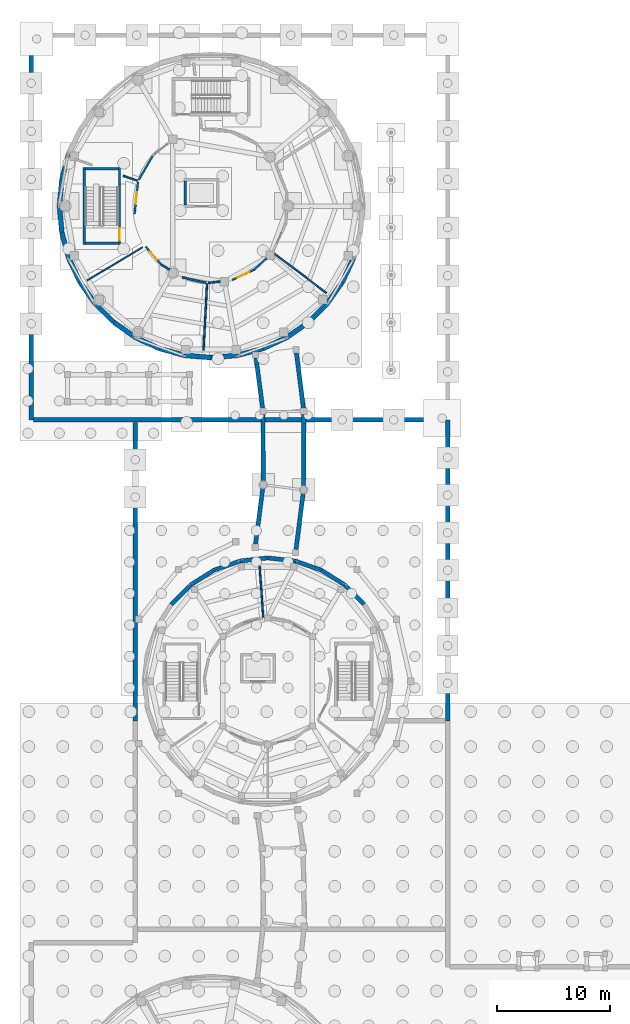
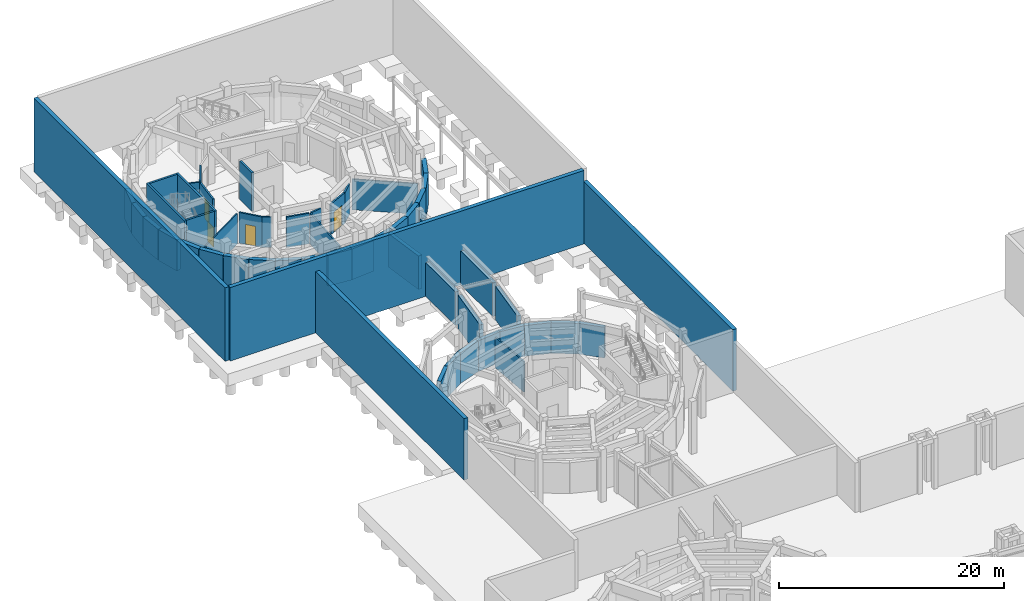
# One storey, part 42 of 57: 54 walls, 4 doors, 4 openings.
"""IFC4 building model written with IfcOpenShell, lengths in metres."""

import ifcopenshell
import ifcopenshell.guid

model = None  # the IFC model being written
_history = None  # IfcOwnerHistory: only IFC2X3 demands one
_inside = {}  # id of a spatial element -> (the spatial element, [elements in it])
_under = {}  # id of a project, library or spatial element -> (it, [spatial elements below it])
_declared = {}  # id of a project -> (the project, [libraries it declares])
_typed = {}  # id of a type object -> (the type object, [elements of that type])
_made_of = {}  # id of a material, layer set ... -> (it, [elements and type objects made of it])


def new_model(schema):
    """Start an empty IFC model of exactly this schema.

    Asked for "IFC4X3", IfcOpenShell would pick the latest addendum, in which some entities
    have other attributes; the version numbers below select the first issue.
    IFC2X3 requires an IfcOwnerHistory on every rooted entity: one is made here for all.
    """
    global model, _history
    if schema == "IFC4X3":
        model = ifcopenshell.file(schema_version=(4, 3, 0, 0))
    else:
        model = ifcopenshell.file(schema=schema)
    _inside.clear()
    _under.clear()
    _declared.clear()
    _typed.clear()
    _made_of.clear()
    _history = None
    if model.schema == "IFC2X3":
        org = make("IfcOrganization", Name="unknown")
        user = make(
            "IfcPersonAndOrganization",
            ThePerson=make("IfcPerson", FamilyName="unknown"),
            TheOrganization=org,
        )
        app = make(
            "IfcApplication",
            ApplicationDeveloper=org,
            Version="unknown",
            ApplicationFullName="unknown",
            ApplicationIdentifier="unknown",
        )
        _history = make(
            "IfcOwnerHistory",
            OwningUser=user,
            OwningApplication=app,
            ChangeAction="ADDED",
            CreationDate=0,
        )
    return model


def make(cls, **values):
    """One entity of the class cls with the attributes given. An attribute that is None is left unset."""
    return model.create_entity(
        cls, **{name: value for name, value in values.items() if value is not None}
    )


def rooted(cls, **values):
    """An entity with a GlobalId (a new one), such as an element, a storey or a relation."""
    return make(cls, GlobalId=ifcopenshell.guid.new(), OwnerHistory=_history, **values)


def si_unit(unit_type, name, prefix=None):
    """IfcSIUnit, for example si_unit("LENGTHUNIT", "METRE", prefix="MILLI")."""
    return make("IfcSIUnit", UnitType=unit_type, Prefix=prefix, Name=name)


def assignment(units):
    """IfcUnitAssignment: the units of a project."""
    return None if units is None else make("IfcUnitAssignment", Units=units)


def point(xyz):
    """IfcCartesianPoint."""
    return None if xyz is None else make("IfcCartesianPoint", Coordinates=xyz)


def direction(xyz):
    """IfcDirection."""
    return None if xyz is None else make("IfcDirection", DirectionRatios=xyz)


def frame(location, z_axis=None, x_axis=None):
    """IfcAxis2Placement3D, a coordinate frame: its origin and axes. An axis left out is left unset."""
    return make(
        "IfcAxis2Placement3D",
        Location=point(location),
        Axis=direction(z_axis),
        RefDirection=direction(x_axis),
    )


def frame_2d(location, x_axis=None):
    """IfcAxis2Placement2D, a coordinate frame in the plane: its origin and x axis."""
    return make(
        "IfcAxis2Placement2D", Location=point(location), RefDirection=direction(x_axis)
    )


def origin():
    """The frame at (0, 0, 0) with its axes left unset."""
    return frame((0.0, 0.0, 0.0))


def place(relative_to, where):
    """IfcLocalPlacement: puts the frame where relative to a parent placement (None: the world)."""
    return make(
        "IfcLocalPlacement", PlacementRelTo=relative_to, RelativePlacement=where
    )


def context(
    kind, dimensions, precision=None, world=None, true_north=None, identifier=None
):
    """IfcGeometricRepresentationContext, for example the 3D "Model" context."""
    return make(
        "IfcGeometricRepresentationContext",
        ContextIdentifier=identifier,
        ContextType=kind,
        CoordinateSpaceDimension=dimensions,
        Precision=precision,
        WorldCoordinateSystem=world,
        TrueNorth=true_north,
    )


def subcontext(parent, identifier, kind, view, scale=None):
    """IfcGeometricRepresentationSubContext, for example "Body" below "Model"."""
    return make(
        "IfcGeometricRepresentationSubContext",
        ContextIdentifier=identifier,
        ContextType=kind,
        ParentContext=parent,
        TargetScale=scale,
        TargetView=view,
    )


def project(units=None, contexts=None):
    """IfcProject with its units and contexts."""
    return rooted(
        "IfcProject",
        Name="project",
        RepresentationContexts=contexts,
        UnitsInContext=assignment(units),
    )


def spatial(cls, under=None, at=None, **own):
    """A site, building, storey or space (cls), placed at a placement, below another one or the project."""
    s = rooted(cls, ObjectPlacement=at, **own)
    if under is not None:
        _under.setdefault(under.id(), (under, []))[1].append(s)
    return s


def profile(cls, at=None, kind="AREA", **sizes):
    """A parametric profile (cls). Its sizes go by their IFC names, for example OverallWidth=200.0."""
    return make(cls, ProfileType=kind, Position=at, **sizes)


def rectangle(**sizes):
    """IfcRectangleProfileDef."""
    return profile("IfcRectangleProfileDef", **sizes)


def extrude(swept, where, along, depth):
    """IfcExtrudedAreaSolid: the profile swept, set in the frame where, extruded along a direction by depth."""
    return make(
        "IfcExtrudedAreaSolid",
        SweptArea=swept,
        Position=where,
        ExtrudedDirection=direction(along),
        Depth=depth,
    )


def shape(context_of_items, identifier, shape_type, items):
    """IfcShapeRepresentation: the items that make up one representation, for example the "Body"."""
    return make(
        "IfcShapeRepresentation",
        ContextOfItems=context_of_items,
        RepresentationIdentifier=identifier,
        RepresentationType=shape_type,
        Items=items,
    )


def material(Name=None, Category=None):
    """IfcMaterial."""
    return make("IfcMaterial", Name=Name, Category=Category)


def layer(
    of_material, thickness, ventilated=None, Name=None, Category=None, Priority=None
):
    """IfcMaterialLayer: one layer of a wall or slab, of a material (None: an air gap)."""
    return make(
        "IfcMaterialLayer",
        Material=of_material,
        LayerThickness=thickness,
        IsVentilated=ventilated,
        Name=Name,
        Category=Category,
        Priority=Priority,
    )


def layer_set(layers, Name=None):
    """IfcMaterialLayerSet."""
    return make("IfcMaterialLayerSet", MaterialLayers=layers, LayerSetName=Name)


def made_of(thing, what):
    """Note that an element or type object is made of a material, layer set ...; save() writes the relation."""
    if what is not None:
        _made_of.setdefault(what.id(), (what, []))[1].append(thing)
    return thing


def type_object(cls, material=None, **own):
    """A type object (cls), such as IfcWallType, which elements share."""
    return made_of(rooted(cls, **own), material)


def element(
    cls,
    number,
    at=None,
    inside=None,
    cuts=None,
    type_object=None,
    material=None,
    context=None,
    identifier="Body",
    shape_type=None,
    held_by="IfcProductDefinitionShape",
    body=None,
    shapes=None,
    **own,
):
    """One element of the class cls, such as IfcWall. Its Tag is "e" and its number.

    at: its placement. inside: the storey or other place that contains it. cuts: it is an
    opening in that element (IfcRelVoidsElement). A single representation is given by context,
    identifier, shape_type and body (its items); several are given by shapes. held_by: the class
    of the entity that holds the representations. save() writes the other relations.
    """
    e = rooted(cls, Tag="e%d" % number, ObjectPlacement=at, **own)
    if body is not None:
        shapes = [shape(context, identifier, shape_type, body)]
    if shapes is not None:
        e.Representation = make(held_by, Representations=shapes)
    if inside is not None:
        _inside.setdefault(inside.id(), (inside, []))[1].append(e)
    if cuts is not None:
        rooted(
            "IfcRelVoidsElement", RelatingBuildingElement=cuts, RelatedOpeningElement=e
        )
    if type_object is not None:
        _typed.setdefault(type_object.id(), (type_object, []))[1].append(e)
    return made_of(e, material)


def fill(opening, filler):
    """IfcRelFillsElement: the door or window that sits in an opening."""
    return rooted(
        "IfcRelFillsElement",
        RelatingOpeningElement=opening,
        RelatedBuildingElement=filler,
    )


def aggregate(whole, parts):
    """IfcRelAggregates: a whole, such as a stair, and the parts it consists of."""
    return rooted("IfcRelAggregates", RelatingObject=whole, RelatedObjects=parts)


def save(model, path):
    """Write the relations noted so far, then the file.

    IfcRelAggregates (storeys below a building ...), IfcRelContainedInSpatialStructure (elements
    in a storey), IfcRelDefinesByType, IfcRelAssociatesMaterial and IfcRelDeclares: one each for
    every whole, place, type object, material and project.
    """
    for whole, parts in _under.values():
        aggregate(whole, parts)
    for where, things in _inside.values():
        rooted(
            "IfcRelContainedInSpatialStructure",
            RelatedElements=things,
            RelatingStructure=where,
        )
    for kind, things in _typed.values():
        rooted("IfcRelDefinesByType", RelatedObjects=things, RelatingType=kind)
    for what, things in _made_of.values():
        rooted("IfcRelAssociatesMaterial", RelatedObjects=things, RelatingMaterial=what)
    for by, libraries in _declared.values():
        rooted("IfcRelDeclares", RelatingContext=by, RelatedDefinitions=libraries)
    model.write(path)


model = new_model("IFC4")

# Units and contexts
model_context = context("Model", 3, precision=1e-05, world=origin(), true_north=direction((0.0, 1.0)))
body_context = subcontext(model_context, "Body", "Model", "MODEL_VIEW")
ifc_project = project(units=[si_unit("LENGTHUNIT", "METRE"), si_unit("AREAUNIT", "SQUARE_METRE"), si_unit("VOLUMEUNIT", "CUBIC_METRE"), si_unit("PLANEANGLEUNIT", "RADIAN"), si_unit("MASSUNIT", "GRAM", prefix="KILO")], contexts=[model_context])

# Site, building, storey
site_placement = place(None, origin())
site = spatial("IfcSite", under=ifc_project, at=site_placement, CompositionType="ELEMENT")
building_placement = place(site_placement, origin())
building = spatial("IfcBuilding", under=site, at=building_placement, Name="Aldenvaro Health Centre", CompositionType="ELEMENT")
storey_placement = place(building_placement, frame((0.0, 0.0, -4.550048828125)))
storey = spatial("IfcBuildingStorey", under=building, at=storey_placement, Name="B1", CompositionType="ELEMENT", Elevation=-4.550048828125)

# Walls
ifc_material_1 = material(Name="Gypsum Stud Acoustic Assembly")
ifc_layer_1 = layer(ifc_material_1, 0.14501953125, Name="Gypsum Stud Acoustic Assembly")
ifc_layer_set_1 = layer_set([ifc_layer_1], Name="Gypsum Stud Acoustic Assembly")
wall_type_1 = type_object("IfcWallType", Name="WL-CLN-145", PredefinedType="PARTITIONING", material=ifc_layer_set_1)
wall_1_placement = place(storey_placement, frame((23.10400390625, 63.1689453125, 0.0), z_axis=(0.0, 0.0, 1.0), x_axis=(-0.069759335413, 0.997563850148, 0.0)))
element("IfcWall", 1, at=wall_1_placement, inside=storey, type_object=wall_type_1, Name="D3 B1 clinical partition 2.1", PredefinedType="PARTITIONING", context=body_context, shape_type="SweptSolid", body=[
    extrude(rectangle(XDim=4.560302734375, YDim=0.14501953125, at=frame_2d((2.2802734375, 0.0))), origin(), (0.0, 0.0, 1.0), 3.31005859375),
])
wall_2_placement = place(storey_placement, frame((11.991943359375, 101.740966796875, 0.0), z_axis=(0.0, 0.0, 1.0), x_axis=(-0.945621552481, 0.32526893409, 0.0)))
element("IfcWall", 2, at=wall_2_placement, inside=storey, type_object=wall_type_1, Name="D4 B1 clinical partition 3.1", PredefinedType="PARTITIONING", context=body_context, shape_type="SweptSolid", body=[
    extrude(rectangle(XDim=1.33447265625, YDim=0.14501953125, at=frame_2d((0.667236328125, 0.0))), origin(), (0.0, 0.0, 1.0), 3.322998046875),
])
wall_3_placement = place(storey_placement, frame((18.139892578125, 92.6259765625, 0.0), z_axis=(0.0, 0.0, 1.0), x_axis=(-0.052410492944, -0.998625625662, 0.0)))
element("IfcWall", 3, at=wall_3_placement, inside=storey, type_object=wall_type_1, Name="D4 B1 clinical partition 5.1", PredefinedType="PARTITIONING", context=body_context, shape_type="SweptSolid", body=[
    extrude(rectangle(XDim=5.8740234375, YDim=0.14501953125, at=frame_2d((2.93701171875, 0.0))), origin(), (0.0, 0.0, 1.0), 3.322998046875),
])
ifc_layer_2 = layer(ifc_material_1, 0.1650390625, Name="Gypsum Stud Acoustic Assembly")
ifc_layer_set_2 = layer_set([ifc_layer_2], Name="Gypsum Stud Acoustic Assembly")
wall_type_2 = type_object("IfcWallType", Name="WL-COR-165", PredefinedType="PARTITIONING", material=ifc_layer_set_2)
wall_4_placement = place(storey_placement, frame((13.337890625, 103.927001953125, 0.0), z_axis=(0.0, 0.0, 1.0), x_axis=(-0.503394092426, -0.864056935456, 0.0)))
element("IfcWall", 4, at=wall_4_placement, inside=storey, type_object=wall_type_2, Name="D4 B1 corridor wall 02.2", PredefinedType="PARTITIONING", context=body_context, shape_type="SweptSolid", body=[
    extrude(rectangle(XDim=2.451171875, YDim=0.1650390625, at=frame_2d((1.2255859375, 0.0))), origin(), (0.0, 0.0, 1.0), 3.322998046875),
])

# Wall, opening, door
wall_5_placement = place(storey_placement, frame((12.0380859375, 101.617919921875, 0.0), z_axis=(0.0, 0.0, 1.0), x_axis=(-0.105814942623, -0.99438583956, 0.0)))
wall_5 = element("IfcWall", 5, at=wall_5_placement, inside=storey, type_object=wall_type_2, Name="D4 B1 corridor wall 03.1", PredefinedType="PARTITIONING", context=body_context, shape_type="SweptSolid", body=[
    extrude(rectangle(XDim=2.8447265625, YDim=0.1650390625, at=frame_2d((1.42236328125, 0.0))), origin(), (0.0, 0.0, 1.0), 3.322998046875),
])
opening_1_placement = place(wall_5_placement, frame((0.9130859375, 0.0, 0.0)))
opening_1 = element("IfcOpeningElement", 6, at=opening_1_placement, cuts=wall_5, Name="Opening HD-01", PredefinedType="OPENING", context=body_context, shape_type="SweptSolid", body=[
    extrude(rectangle(XDim=1.02001953125, YDim=2.199951171875, at=frame_2d((0.510009765625, 1.10009765625))), frame((0.0, 0.092529296875, 0.0), z_axis=(0.0, -1.0, 0.0), x_axis=(1.0, 0.0, 0.0)), (0.0, 0.0, 1.0), 0.18505859375),
])
ifc_material_2 = material(Name="Security Pharmacy Vault Door")
door_type_1 = type_object("IfcDoorType", Name="DR-PHM-01", OperationType="NOTDEFINED", PredefinedType="DOOR", material=ifc_material_2)
door_1_placement = place(opening_1_placement, origin())
door_1 = element("IfcDoor", 7, at=door_1_placement, inside=storey, type_object=door_type_1, Name="Cold Vaccine Storage Vault Door", OperationType="SINGLE_SWING_LEFT", OverallHeight=2.199951171875, OverallWidth=1.02001953125, PredefinedType="DOOR", context=body_context, shape_type="SweptSolid", body=[
    extrude(rectangle(XDim=1.02001953125, YDim=2.199951171875, at=frame_2d((0.510009765625, 1.10009765625))), frame((0.0, 0.02490234375, 0.0), z_axis=(0.0, -1.0, 0.0), x_axis=(1.0, 0.0, 0.0)), (0.0, 0.0, 1.0), 0.050048828125),
])
fill(opening_1, door_1)

wall_6_placement = place(storey_placement, frame((12.72412109375, 95.912109375, 0.0), z_axis=(0.0, 0.0, 1.0), x_axis=(0.654748063389, -0.755847189245, 0.0)))
wall_6 = element("IfcWall", 8, at=wall_6_placement, inside=storey, type_object=wall_type_2, Name="D4 B1 corridor wall 04.1", PredefinedType="PARTITIONING", context=body_context, shape_type="SweptSolid", body=[
    extrude(rectangle(XDim=2.1396484375, YDim=0.1650390625, at=frame_2d((1.06982421875, 0.0))), origin(), (0.0, 0.0, 1.0), 3.322998046875),
])
opening_2_placement = place(wall_6_placement, frame((0.594970703125, 0.0, 0.0)))
opening_2 = element("IfcOpeningElement", 9, at=opening_2_placement, cuts=wall_6, Name="Opening UD-02", PredefinedType="OPENING", context=body_context, shape_type="SweptSolid", body=[
    extrude(rectangle(XDim=0.949951171875, YDim=2.159912109375, at=frame_2d((0.47509765625, 1.080078125))), frame((0.0, 0.092529296875, 0.0), z_axis=(0.0, -1.0, 0.0), x_axis=(1.0, 0.0, 0.0)), (0.0, 0.0, 1.0), 0.18505859375),
])
ifc_material_3 = material(Name="Sterile Core Supply Door")
door_type_2 = type_object("IfcDoorType", Name="DR-STR-02", OperationType="NOTDEFINED", PredefinedType="DOOR", material=ifc_material_3)
door_2_placement = place(opening_2_placement, origin())
door_2 = element("IfcDoor", 10, at=door_2_placement, inside=storey, type_object=door_type_2, Name="Bulk Medical Consumables Store Door", OperationType="SINGLE_SWING_RIGHT", OverallHeight=2.159912109375, OverallWidth=0.949951171875, PredefinedType="DOOR", context=body_context, shape_type="SweptSolid", body=[
    extrude(rectangle(XDim=0.949951171875, YDim=2.159912109375, at=frame_2d((0.47509765625, 1.080078125))), frame((0.0, 0.02490234375, 0.0), z_axis=(0.0, -1.0, 0.0), x_axis=(1.0, 0.0, 0.0)), (0.0, 0.0, 1.0), 0.050048828125),
])
fill(opening_2, door_2)

# Walls
wall_7_placement = place(storey_placement, frame((14.125, 94.294921875, 0.0), z_axis=(0.0, 0.0, 1.0), x_axis=(0.85678115087, -0.51568019112, 0.0)))
element("IfcWall", 11, at=wall_7_placement, inside=storey, type_object=wall_type_2, Name="D4 B1 corridor wall 04.2", PredefinedType="PARTITIONING", context=body_context, shape_type="SweptSolid", body=[
    extrude(rectangle(XDim=0.818115234375, YDim=0.1650390625, at=frame_2d((0.4091796875, 0.0))), origin(), (0.0, 0.0, 1.0), 3.322998046875),
])
wall_8_placement = place(storey_placement, frame((15.9580078125, 93.193115234375, 0.0), z_axis=(0.0, 0.0, 1.0), x_axis=(0.974709533604, -0.223475558173, 0.0)))
element("IfcWall", 12, at=wall_8_placement, inside=storey, type_object=wall_type_2, Name="D4 B1 corridor wall 04.3", PredefinedType="PARTITIONING", context=body_context, shape_type="SweptSolid", body=[
    extrude(rectangle(XDim=2.13916015625, YDim=0.1650390625, at=frame_2d((1.069580078125, 0.0))), origin(), (0.0, 0.0, 1.0), 3.322998046875),
])
wall_9_placement = place(storey_placement, frame((18.2451171875, 92.705078125, 0.0), z_axis=(0.0, 0.0, 1.0), x_axis=(0.9927536918, 0.120166998037, 0.0)))
element("IfcWall", 13, at=wall_9_placement, inside=storey, type_object=wall_type_2, Name="D4 B1 corridor wall 05.1", PredefinedType="PARTITIONING", context=body_context, shape_type="SweptSolid", body=[
    extrude(rectangle(XDim=1.064697265625, YDim=0.1650390625, at=frame_2d((0.5322265625, 0.0))), origin(), (0.0, 0.0, 1.0), 3.322998046875),
])

# Wall, opening, door
wall_10_placement = place(storey_placement, frame((20.368896484375, 92.9619140625, 0.0), z_axis=(0.0, 0.0, 1.0), x_axis=(0.906244379773, 0.422754212434, 0.0)))
wall_10 = element("IfcWall", 14, at=wall_10_placement, inside=storey, type_object=wall_type_2, Name="D4 B1 corridor wall 05.2", PredefinedType="PARTITIONING", context=body_context, shape_type="SweptSolid", body=[
    extrude(rectangle(XDim=2.138427734375, YDim=0.1650390625, at=frame_2d((1.0693359375, 0.0))), origin(), (0.0, 0.0, 1.0), 3.322998046875),
])
opening_3_placement = place(wall_10_placement, frame((0.47998046875, 0.0, 0.0)))
opening_3 = element("IfcOpeningElement", 15, at=opening_3_placement, cuts=wall_10, Name="Opening PD-01", PredefinedType="OPENING", context=body_context, shape_type="SweptSolid", body=[
    extrude(rectangle(XDim=1.179931640625, YDim=2.199951171875, at=frame_2d((0.58984375, 1.10009765625))), frame((0.0, 0.092529296875, 0.0), z_axis=(0.0, -1.0, 0.0), x_axis=(1.0, 0.0, 0.0)), (0.0, 0.0, 1.0), 0.18505859375),
])
ifc_material_4 = material(Name="Fire-Rated Louvred Plant Door")
door_type_3 = type_object("IfcDoorType", Name="DR-PLT-01", OperationType="NOTDEFINED", PredefinedType="DOOR", material=ifc_material_4)
door_3_placement = place(opening_3_placement, origin())
door_3 = element("IfcDoor", 16, at=door_3_placement, inside=storey, type_object=door_type_3, Name="Secondary Electrical Distribution Room Door", OperationType="SINGLE_SWING_LEFT", OverallHeight=2.199951171875, OverallWidth=1.179931640625, PredefinedType="DOOR", context=body_context, shape_type="SweptSolid", body=[
    extrude(rectangle(XDim=1.179931640625, YDim=2.199951171875, at=frame_2d((0.58984375, 1.10009765625))), frame((0.0, 0.02490234375, 0.0), z_axis=(0.0, -1.0, 0.0), x_axis=(1.0, 0.0, 0.0)), (0.0, 0.0, 1.0), 0.050048828125),
])
fill(opening_3, door_3)

# Walls
wall_11_placement = place(storey_placement, frame((22.306884765625, 93.865966796875, 0.0), z_axis=(0.0, 0.0, 1.0), x_axis=(0.730253188862, 0.683176609784, 0.0)))
element("IfcWall", 17, at=wall_11_placement, inside=storey, type_object=wall_type_2, Name="D4 B1 corridor wall 05.3", PredefinedType="PARTITIONING", context=body_context, shape_type="SweptSolid", body=[
    extrude(rectangle(XDim=1.509033203125, YDim=0.1650390625, at=frame_2d((0.75439453125, 0.0))), origin(), (0.0, 0.0, 1.0), 3.322998046875),
])
ifc_material_5 = material(Name="Concrete f'c 40 MPa", Category="concrete")
ifc_layer_3 = layer(ifc_material_5, 0.3701171875, Name="Concrete f'c 40 MPa", Category="concrete")
ifc_layer_set_3 = layer_set([ifc_layer_3], Name="Concrete f'c 40 MPa")
wall_type_3 = type_object("IfcWallType", Name="WL-RET-370", PredefinedType="USERDEFINED", material=ifc_layer_set_3)
wall_12_placement = place(storey_placement, frame((14.97802734375, 64.2958984375, 0.0), z_axis=(0.0, 0.0, 1.0), x_axis=(0.707106781187, 0.707106781187, 0.0)))
element("IfcWall", 18, at=wall_12_placement, inside=storey, type_object=wall_type_3, Name="D3 B1 hillside retaining wall 18", ObjectType="RETAININGWALL", PredefinedType="USERDEFINED", context=body_context, shape_type="SweptSolid", body=[
    extrude(rectangle(XDim=2.44091796875, YDim=0.3701171875, at=frame_2d((1.220458984375, 0.0))), origin(), (0.0, 0.0, 1.0), 3.3349609375),
])
wall_13_placement = place(storey_placement, frame((16.7041015625, 66.02197265625, 0.0), z_axis=(0.0, 0.0, 1.0), x_axis=(0.846658434148, 0.532136726684, 0.0)))
element("IfcWall", 19, at=wall_13_placement, inside=storey, type_object=wall_type_3, Name="D3 B1 hillside retaining wall 19", ObjectType="RETAININGWALL", PredefinedType="USERDEFINED", context=body_context, shape_type="SweptSolid", body=[
    extrude(rectangle(XDim=2.441162109375, YDim=0.3701171875, at=frame_2d((1.220703125, 0.0))), origin(), (0.0, 0.0, 1.0), 3.3349609375),
])
wall_14_placement = place(storey_placement, frame((18.77099609375, 67.321044921875, 0.0), z_axis=(0.0, 0.0, 1.0), x_axis=(0.943919156274, 0.330176659411, 0.0)))
element("IfcWall", 20, at=wall_14_placement, inside=storey, type_object=wall_type_3, Name="D3 B1 hillside retaining wall 20", ObjectType="RETAININGWALL", PredefinedType="USERDEFINED", context=body_context, shape_type="SweptSolid", body=[
    extrude(rectangle(XDim=2.44091796875, YDim=0.3701171875, at=frame_2d((1.220458984375, 0.0))), origin(), (0.0, 0.0, 1.0), 3.3349609375),
])
for number, where, z_axis, x_axis, name in (
    (21, (21.074951171875, 68.126953125, 0.0), (0.0, 0.0, 1.0), (0.993725340882, 0.111847873866, 0.0), "D3 B1 hillside retaining wall 21"),
    (22, (23.5, 68.39990234375, 0.0), (0.0, 0.0, 1.0), (0.993725340882, -0.111847873866, 0.0), "D3 B1 hillside retaining wall 22"),
):
    element("IfcWall", number, at=place(storey_placement, frame(where, z_axis=z_axis, x_axis=x_axis)), inside=storey, type_object=wall_type_3, Name=name, ObjectType="RETAININGWALL", PredefinedType="USERDEFINED", context=body_context, shape_type="SweptSolid", body=[
        extrude(rectangle(XDim=2.4404296875, YDim=0.3701171875, at=frame_2d((1.22021484375, 0.0))), origin(), (0.0, 0.0, 1.0), 3.3349609375),
    ])
wall_15_placement = place(storey_placement, frame((25.925048828125, 68.126953125, 0.0), z_axis=(0.0, 0.0, 1.0), x_axis=(0.943919156274, -0.330176659411, 0.0)))
element("IfcWall", 23, at=wall_15_placement, inside=storey, type_object=wall_type_3, Name="D3 B1 hillside retaining wall 23", ObjectType="RETAININGWALL", PredefinedType="USERDEFINED", context=body_context, shape_type="SweptSolid", body=[
    extrude(rectangle(XDim=2.44091796875, YDim=0.3701171875, at=frame_2d((1.220458984375, 0.0))), origin(), (0.0, 0.0, 1.0), 3.3349609375),
])
wall_16_placement = place(storey_placement, frame((28.22900390625, 67.321044921875, 0.0), z_axis=(0.0, 0.0, 1.0), x_axis=(0.846658434148, -0.532136726684, 0.0)))
element("IfcWall", 24, at=wall_16_placement, inside=storey, type_object=wall_type_3, Name="D3 B1 hillside retaining wall 24", ObjectType="RETAININGWALL", PredefinedType="USERDEFINED", context=body_context, shape_type="SweptSolid", body=[
    extrude(rectangle(XDim=2.441162109375, YDim=0.3701171875, at=frame_2d((1.220703125, 0.0))), origin(), (0.0, 0.0, 1.0), 3.3349609375),
])
wall_17_placement = place(storey_placement, frame((30.2958984375, 66.02197265625, 0.0), z_axis=(0.0, 0.0, 1.0), x_axis=(0.707106781187, -0.707106781187, 0.0)))
element("IfcWall", 25, at=wall_17_placement, inside=storey, type_object=wall_type_3, Name="D3 B1 hillside retaining wall 25", ObjectType="RETAININGWALL", PredefinedType="USERDEFINED", context=body_context, shape_type="SweptSolid", body=[
    extrude(rectangle(XDim=2.44091796875, YDim=0.3701171875, at=frame_2d((1.220458984375, 0.0))), origin(), (0.0, 0.0, 1.0), 3.3349609375),
])
for number, where, z_axis, x_axis, name in (
    (26, (22.430908203125, 69.6201171875, 0.0), (0.0, 0.0, 1.0), (0.127875685698, 0.99179020413, 0.0), "West North Curved Garden Walkway Arc 1 B1 retaining wall L.1"),
    (27, (26.0009765625, 69.159912109375, 0.0), (0.0, 0.0, 1.0), (0.127875685698, 0.99179020413, 0.0), "West North Curved Garden Walkway Arc 1 B1 retaining wall R.1"),
):
    element("IfcWall", number, at=place(storey_placement, frame(where, z_axis=z_axis, x_axis=x_axis)), inside=storey, type_object=wall_type_3, Name=name, ObjectType="RETAININGWALL", PredefinedType="USERDEFINED", context=body_context, shape_type="SweptSolid", body=[
        extrude(rectangle(XDim=5.021240234375, YDim=0.3701171875, at=frame_2d((2.5107421875, 0.0))), origin(), (0.0, 0.0, 1.0), 3.64501953125),
    ])
wall_18_placement = place(storey_placement, frame((23.10693359375, 75.14794921875, 0.0), z_axis=(0.0, 0.0, 1.0), x_axis=(-0.002180526372, 0.99999762265, 0.0)))
element("IfcWall", 28, at=wall_18_placement, inside=storey, type_object=wall_type_3, Name="West North Curved Garden Walkway Arc 2 B1 retaining wall L.1", ObjectType="RETAININGWALL", PredefinedType="USERDEFINED", context=body_context, shape_type="SweptSolid", body=[
    extrude(rectangle(XDim=5.93408203125, YDim=0.3701171875, at=frame_2d((2.967041015625, 0.0))), origin(), (0.0, 0.0, 1.0), 3.64501953125),
])
wall_19_placement = place(storey_placement, frame((26.678955078125, 74.68798828125, 0.0), z_axis=(0.0, 0.0, 1.0), x_axis=(0.002023669014, 0.99999795238, 0.0)))
element("IfcWall", 29, at=wall_19_placement, inside=storey, type_object=wall_type_3, Name="West North Curved Garden Walkway Arc 2 B1 retaining wall R.1", ObjectType="RETAININGWALL", PredefinedType="USERDEFINED", context=body_context, shape_type="SweptSolid", body=[
    extrude(rectangle(XDim=6.39404296875, YDim=0.3701171875, at=frame_2d((3.197021484375, 0.0))), origin(), (0.0, 0.0, 1.0), 3.64501953125),
])
wall_20_placement = place(storey_placement, frame((23.056884765625, 81.6298828125, 0.0), z_axis=(0.0, 0.0, 1.0), x_axis=(-0.130642100279, 0.991429594896, 0.0)))
element("IfcWall", 30, at=wall_20_placement, inside=storey, type_object=wall_type_3, Name="West North Curved Garden Walkway Arc 3 B1 retaining wall L.1", ObjectType="RETAININGWALL", PredefinedType="USERDEFINED", context=body_context, shape_type="SweptSolid", body=[
    extrude(rectangle(XDim=4.4775390625, YDim=0.3701171875, at=frame_2d((2.23876953125, 0.0))), origin(), (0.0, 0.0, 1.0), 3.64501953125),
])
wall_21_placement = place(storey_placement, frame((26.658935546875, 81.6298828125, 0.0), z_axis=(0.0, 0.0, 1.0), x_axis=(-0.125330720713, 0.992115018758, 0.0)))
element("IfcWall", 31, at=wall_21_placement, inside=storey, type_object=wall_type_3, Name="West North Curved Garden Walkway Arc 3 B1 retaining wall R.1", ObjectType="RETAININGWALL", PredefinedType="USERDEFINED", context=body_context, shape_type="SweptSolid", body=[
    extrude(rectangle(XDim=4.93798828125, YDim=0.3701171875, at=frame_2d((2.468994140625, 0.0))), origin(), (0.0, 0.0, 1.0), 3.64501953125),
])
ifc_layer_4 = layer(ifc_material_5, 0.39990234375, Name="Concrete f'c 40 MPa", Category="concrete")
ifc_layer_set_4 = layer_set([ifc_layer_4], Name="Concrete f'c 40 MPa")
wall_type_4 = type_object("IfcWallType", Name="WL-RET-400", PredefinedType="USERDEFINED", material=ifc_layer_set_4)
wall_22_placement = place(storey_placement, frame((2.60009765625, 80.60009765625, 0.0), z_axis=(0.0, 0.0, 1.0), x_axis=(0.0, 1.0, 0.0)))
element("IfcWall", 32, at=wall_22_placement, inside=storey, type_object=wall_type_4, Name="Stepped Foothill Retaining Wall T4N-W-00", ObjectType="RETAININGWALL", PredefinedType="USERDEFINED", context=body_context, shape_type="SweptSolid", body=[
    extrude(rectangle(XDim=34.0, YDim=0.39990234375, at=frame_2d((17.0, 0.0))), origin(), (0.0, 0.0, 1.0), 7.97998046875),
])
wall_23_placement = place(storey_placement, frame((2.823974609375, 80.60009765625, 0.0), z_axis=(0.0, 0.0, 1.0), x_axis=(1.0, 0.0, 0.0)))
element("IfcWall", 33, at=wall_23_placement, inside=storey, type_object=wall_type_4, Name="Stepped Foothill Retaining Wall T4N-JSW-00", ObjectType="RETAININGWALL", PredefinedType="USERDEFINED", context=body_context, shape_type="SweptSolid", body=[
    extrude(rectangle(XDim=36.35205078125, YDim=0.39990234375, at=frame_2d((18.176025390625, 0.0))), origin(), (0.0, 0.0, 1.0), 7.97998046875),
])
wall_24_placement = place(storey_placement, frame((11.800048828125, 54.0, 0.0), z_axis=(0.0, 0.0, 1.0), x_axis=(0.0, 1.0, 0.0)))
element("IfcWall", 34, at=wall_24_placement, inside=storey, type_object=wall_type_4, Name="Stepped Foothill Retaining Wall T3F-W-00", ObjectType="RETAININGWALL", PredefinedType="USERDEFINED", context=body_context, shape_type="SweptSolid", body=[
    extrude(rectangle(XDim=26.3759765625, YDim=0.39990234375, at=frame_2d((13.18798828125, 0.0))), origin(), (0.0, 0.0, 1.0), 6.679931640625),
])
wall_25_placement = place(storey_placement, frame((39.39990234375, 54.0, 0.0), z_axis=(0.0, 0.0, 1.0), x_axis=(0.0, 1.0, 0.0)))
element("IfcWall", 35, at=wall_25_placement, inside=storey, type_object=wall_type_4, Name="Stepped Foothill Retaining Wall T3F-IW-00", ObjectType="RETAININGWALL", PredefinedType="USERDEFINED", context=body_context, shape_type="SweptSolid", body=[
    extrude(rectangle(XDim=26.60009765625, YDim=0.39990234375, at=frame_2d((13.300048828125, 0.0))), origin(), (0.0, 0.0, 1.0), 6.679931640625),
])
ifc_layer_5 = layer(ifc_material_5, 0.429931640625, Name="Concrete f'c 40 MPa", Category="concrete")
ifc_layer_set_5 = layer_set([ifc_layer_5], Name="Concrete f'c 40 MPa")
wall_type_5 = type_object("IfcWallType", Name="WL-RET-430", PredefinedType="USERDEFINED", material=ifc_layer_set_5)
for number, where, z_axis, x_axis, name in (
    (36, (31.092041015625, 94.9169921875, 0.0), (0.0, 0.0, 1.0), (-0.422587894318, -0.906321946979, 0.0), "D4 B1 hillside retaining wall 03"),
    (37, (30.10498046875, 92.800048828125, 0.0), (0.0, 0.0, 1.0), (-0.573728883722, -0.819045278347, 0.0), "D4 B1 hillside retaining wall 04"),
):
    element("IfcWall", number, at=place(storey_placement, frame(where, z_axis=z_axis, x_axis=x_axis)), inside=storey, type_object=wall_type_5, Name=name, ObjectType="RETAININGWALL", PredefinedType="USERDEFINED", context=body_context, shape_type="SweptSolid", body=[
        extrude(rectangle(XDim=2.335693359375, YDim=0.429931640625, at=frame_2d((1.16796875, 0.0))), origin(), (0.0, 0.0, 1.0), 3.34814453125),
    ])
wall_26_placement = place(storey_placement, frame((28.764892578125, 90.886962890625, 0.0), z_axis=(0.0, 0.0, 1.0), x_axis=(-0.707106781187, -0.707106781187, 0.0)))
element("IfcWall", 38, at=wall_26_placement, inside=storey, type_object=wall_type_5, Name="D4 B1 hillside retaining wall 05", ObjectType="RETAININGWALL", PredefinedType="USERDEFINED", context=body_context, shape_type="SweptSolid", body=[
    extrude(rectangle(XDim=2.336181640625, YDim=0.429931640625, at=frame_2d((1.16796875, 0.0))), origin(), (0.0, 0.0, 1.0), 3.34814453125),
])
for number, where, z_axis, x_axis, name in (
    (39, (27.113037109375, 89.235107421875, 0.0), (0.0, 0.0, 1.0), (-0.819045278347, -0.573728883722, 0.0), "D4 B1 hillside retaining wall 06"),
    (40, (25.199951171875, 87.89501953125, 0.0), (0.0, 0.0, 1.0), (-0.906321946979, -0.422587894318, 0.0), "D4 B1 hillside retaining wall 07"),
):
    element("IfcWall", number, at=place(storey_placement, frame(where, z_axis=z_axis, x_axis=x_axis)), inside=storey, type_object=wall_type_5, Name=name, ObjectType="RETAININGWALL", PredefinedType="USERDEFINED", context=body_context, shape_type="SweptSolid", body=[
        extrude(rectangle(XDim=2.335693359375, YDim=0.429931640625, at=frame_2d((1.16796875, 0.0))), origin(), (0.0, 0.0, 1.0), 3.34814453125),
    ])
wall_27_placement = place(storey_placement, frame((23.0830078125, 86.907958984375, 0.0), z_axis=(0.0, 0.0, 1.0), x_axis=(-0.965981166673, -0.258612423585, 0.0)))
element("IfcWall", 41, at=wall_27_placement, inside=storey, type_object=wall_type_5, Name="D4 B1 hillside retaining wall 08", ObjectType="RETAININGWALL", PredefinedType="USERDEFINED", context=body_context, shape_type="SweptSolid", body=[
    extrude(rectangle(XDim=2.33544921875, YDim=0.429931640625, at=frame_2d((1.167724609375, 0.0))), origin(), (0.0, 0.0, 1.0), 3.34814453125),
])
for number, where, z_axis, x_axis, name in (
    (42, (20.826904296875, 86.303955078125, 0.0), (0.0, 0.0, 1.0), (-0.996184295282, -0.087274565792, 0.0), "D4 B1 hillside retaining wall 09"),
    (43, (18.5, 86.10009765625, 0.0), (0.0, 0.0, 1.0), (-0.996184295282, 0.087274565792, 0.0), "D4 B1 hillside retaining wall 10"),
):
    element("IfcWall", number, at=place(storey_placement, frame(where, z_axis=z_axis, x_axis=x_axis)), inside=storey, type_object=wall_type_5, Name=name, ObjectType="RETAININGWALL", PredefinedType="USERDEFINED", context=body_context, shape_type="SweptSolid", body=[
        extrude(rectangle(XDim=2.3359375, YDim=0.429931640625, at=frame_2d((1.16796875, 0.0))), origin(), (0.0, 0.0, 1.0), 3.34814453125),
    ])
wall_28_placement = place(storey_placement, frame((16.173095703125, 86.303955078125, 0.0), z_axis=(0.0, 0.0, 1.0), x_axis=(-0.965981166673, 0.258612423585, 0.0)))
element("IfcWall", 44, at=wall_28_placement, inside=storey, type_object=wall_type_5, Name="D4 B1 hillside retaining wall 11", ObjectType="RETAININGWALL", PredefinedType="USERDEFINED", context=body_context, shape_type="SweptSolid", body=[
    extrude(rectangle(XDim=2.33544921875, YDim=0.429931640625, at=frame_2d((1.167724609375, 0.0))), origin(), (0.0, 0.0, 1.0), 3.34814453125),
])
for number, where, z_axis, x_axis, name in (
    (45, (13.9169921875, 86.907958984375, 0.0), (0.0, 0.0, 1.0), (-0.906321946979, 0.422587894318, 0.0), "D4 B1 hillside retaining wall 12"),
    (46, (11.800048828125, 87.89501953125, 0.0), (0.0, 0.0, 1.0), (-0.819045278347, 0.573728883722, 0.0), "D4 B1 hillside retaining wall 13"),
):
    element("IfcWall", number, at=place(storey_placement, frame(where, z_axis=z_axis, x_axis=x_axis)), inside=storey, type_object=wall_type_5, Name=name, ObjectType="RETAININGWALL", PredefinedType="USERDEFINED", context=body_context, shape_type="SweptSolid", body=[
        extrude(rectangle(XDim=2.335693359375, YDim=0.429931640625, at=frame_2d((1.16796875, 0.0))), origin(), (0.0, 0.0, 1.0), 3.34814453125),
    ])
wall_29_placement = place(storey_placement, frame((9.886962890625, 89.235107421875, 0.0), z_axis=(0.0, 0.0, 1.0), x_axis=(-0.707106781187, 0.707106781187, 0.0)))
element("IfcWall", 47, at=wall_29_placement, inside=storey, type_object=wall_type_5, Name="D4 B1 hillside retaining wall 14", ObjectType="RETAININGWALL", PredefinedType="USERDEFINED", context=body_context, shape_type="SweptSolid", body=[
    extrude(rectangle(XDim=2.336181640625, YDim=0.429931640625, at=frame_2d((1.16796875, 0.0))), origin(), (0.0, 0.0, 1.0), 3.34814453125),
])
for number, where, z_axis, x_axis, name in (
    (48, (8.235107421875, 90.886962890625, 0.0), (0.0, 0.0, 1.0), (-0.573728883722, 0.819045278347, 0.0), "D4 B1 hillside retaining wall 15"),
    (49, (6.89501953125, 92.800048828125, 0.0), (0.0, 0.0, 1.0), (-0.422587894318, 0.906321946979, 0.0), "D4 B1 hillside retaining wall 16"),
):
    element("IfcWall", number, at=place(storey_placement, frame(where, z_axis=z_axis, x_axis=x_axis)), inside=storey, type_object=wall_type_5, Name=name, ObjectType="RETAININGWALL", PredefinedType="USERDEFINED", context=body_context, shape_type="SweptSolid", body=[
        extrude(rectangle(XDim=2.335693359375, YDim=0.429931640625, at=frame_2d((1.16796875, 0.0))), origin(), (0.0, 0.0, 1.0), 3.34814453125),
    ])
wall_30_placement = place(storey_placement, frame((5.907958984375, 94.9169921875, 0.0), z_axis=(0.0, 0.0, 1.0), x_axis=(-0.258612423585, 0.965981166673, 0.0)))
element("IfcWall", 50, at=wall_30_placement, inside=storey, type_object=wall_type_5, Name="D4 B1 hillside retaining wall 17", ObjectType="RETAININGWALL", PredefinedType="USERDEFINED", context=body_context, shape_type="SweptSolid", body=[
    extrude(rectangle(XDim=2.33544921875, YDim=0.429931640625, at=frame_2d((1.167724609375, 0.0))), origin(), (0.0, 0.0, 1.0), 3.34814453125),
])
for number, where, z_axis, x_axis, name in (
    (51, (5.303955078125, 97.173095703125, 0.0), (0.0, 0.0, 1.0), (-0.087274565792, 0.996184295282, 0.0), "D4 B1 hillside retaining wall 18"),
    (52, (5.10009765625, 99.5, 0.0), (0.0, 0.0, 1.0), (0.087274565792, 0.996184295282, 0.0), "D4 B1 hillside retaining wall 19"),
):
    element("IfcWall", number, at=place(storey_placement, frame(where, z_axis=z_axis, x_axis=x_axis)), inside=storey, type_object=wall_type_5, Name=name, ObjectType="RETAININGWALL", PredefinedType="USERDEFINED", context=body_context, shape_type="SweptSolid", body=[
        extrude(rectangle(XDim=2.3359375, YDim=0.429931640625, at=frame_2d((1.16796875, 0.0))), origin(), (0.0, 0.0, 1.0), 3.34814453125),
    ])
wall_31_placement = place(storey_placement, frame((5.303955078125, 101.826904296875, 0.0), z_axis=(0.0, 0.0, 1.0), x_axis=(0.258612423585, 0.965981166673, 0.0)))
element("IfcWall", 53, at=wall_31_placement, inside=storey, type_object=wall_type_5, Name="D4 B1 hillside retaining wall 20", ObjectType="RETAININGWALL", PredefinedType="USERDEFINED", context=body_context, shape_type="SweptSolid", body=[
    extrude(rectangle(XDim=2.33544921875, YDim=0.429931640625, at=frame_2d((1.167724609375, 0.0))), origin(), (0.0, 0.0, 1.0), 3.34814453125),
])

# Wall, opening, door
ifc_layer_6 = layer(ifc_material_5, 0.199951171875, Name="Concrete f'c 40 MPa", Category="concrete")
ifc_layer_set_6 = layer_set([ifc_layer_6], Name="Concrete f'c 40 MPa")
wall_type_6 = type_object("IfcWallType", Name="WL-SHAFT-200", PredefinedType="SHEAR", material=ifc_layer_set_6)
wall_32_placement = place(storey_placement, frame((10.39990234375, 96.10009765625, 0.0), z_axis=(0.0, 0.0, 1.0), x_axis=(0.0, 1.0, 0.0)))
wall_32 = element("IfcWall", 54, at=wall_32_placement, inside=storey, type_object=wall_type_6, Name="ST-08 B1 inner core wall", PredefinedType="SHEAR", context=body_context, shape_type="SweptSolid", body=[
    extrude(rectangle(XDim=6.7998046875, YDim=0.199951171875, at=frame_2d((3.39990234375, 0.0))), origin(), (0.0, 0.0, 1.0), 4.14794921875),
])
opening_4_placement = place(wall_32_placement, frame((0.3798828125, 0.0, 0.0)))
opening_4 = element("IfcOpeningElement", 55, at=opening_4_placement, cuts=wall_32, Name="Opening FD-02", PredefinedType="OPENING", context=body_context, shape_type="SweptSolid", body=[
    extrude(rectangle(XDim=1.050048828125, YDim=2.14990234375, at=frame_2d((0.52490234375, 1.074951171875))), frame((0.0, 0.10986328125, 0.0), z_axis=(0.0, -1.0, 0.0), x_axis=(1.0, 0.0, 0.0)), (0.0, 0.0, 1.0), 0.219970703125),
])
ifc_material_6 = material(Name="Fire-Rated Steel Door Assembly", Category="steel")
door_type_4 = type_object("IfcDoorType", Name="DR-STAIR-105", OperationType="NOTDEFINED", PredefinedType="DOOR", material=ifc_material_6)
door_4_placement = place(opening_4_placement, origin())
door_4 = element("IfcDoor", 56, at=door_4_placement, inside=storey, type_object=door_type_4, Name="ST-08 B1 fire stair door", OperationType="SINGLE_SWING_RIGHT", OverallHeight=2.14990234375, OverallWidth=1.050048828125, PredefinedType="DOOR", context=body_context, shape_type="SweptSolid", body=[
    extrude(rectangle(XDim=1.050048828125, YDim=2.14990234375, at=frame_2d((0.52490234375, 1.074951171875))), frame((0.0, 0.02490234375, 0.0), z_axis=(0.0, -1.0, 0.0), x_axis=(1.0, 0.0, 0.0)), (0.0, 0.0, 1.0), 0.050048828125),
])
fill(opening_4, door_4)

# Walls
wall_33_placement = place(storey_placement, frame((7.300048828125, 96.10009765625, 0.0), z_axis=(0.0, 0.0, 1.0), x_axis=(0.0, 1.0, 0.0)))
element("IfcWall", 57, at=wall_33_placement, inside=storey, type_object=wall_type_6, Name="ST-08 B1 far core wall", PredefinedType="SHEAR", context=body_context, shape_type="SweptSolid", body=[
    extrude(rectangle(XDim=6.7998046875, YDim=0.199951171875, at=frame_2d((3.39990234375, 0.0))), origin(), (0.0, 0.0, 1.0), 4.14794921875),
])
for number, where, z_axis, x_axis, name in (
    (58, (10.300048828125, 96.199951171875, 0.0), (0.0, 0.0, 1.0), (-1.0, 0.0, 0.0), "ST-08 B1 side core wall L"),
    (59, (10.300048828125, 102.800048828125, 0.0), (0.0, 0.0, 1.0), (-1.0, 0.0, 0.0), "ST-08 B1 side core wall R"),
):
    element("IfcWall", number, at=place(storey_placement, frame(where, z_axis=z_axis, x_axis=x_axis)), inside=storey, type_object=wall_type_6, Name=name, PredefinedType="SHEAR", context=body_context, shape_type="SweptSolid", body=[
        extrude(rectangle(XDim=2.900146484375, YDim=0.199951171875, at=frame_2d((1.4501953125, 0.0))), origin(), (0.0, 0.0, 1.0), 4.14794921875),
    ])
ifc_layer_7 = layer(ifc_material_5, 0.22509765625, Name="Concrete f'c 40 MPa", Category="concrete")
ifc_layer_set_7 = layer_set([ifc_layer_7], Name="Concrete f'c 40 MPa")
wall_type_7 = type_object("IfcWallType", Name="WL-SHAFT-225", PredefinedType="SHEAR", material=ifc_layer_set_7)
wall_34_placement = place(storey_placement, frame((16.2119140625, 99.574951171875, 0.0), z_axis=(0.0, 0.0, 1.0), x_axis=(0.0, 1.0, 0.0)))
element("IfcWall", 60, at=wall_34_placement, inside=storey, type_object=wall_type_7, Name="LF-04 B1 lift shaft side wall L", PredefinedType="SHEAR", context=body_context, shape_type="SweptSolid", body=[
    extrude(rectangle(XDim=2.150146484375, YDim=0.22509765625, at=frame_2d((1.0751953125, 0.0))), origin(), (0.0, 0.0, 1.0), 4.14794921875),
])
ifc_material_7 = material(Name="Light Gauge Steel Stud Partition", Category="steel")
ifc_layer_8 = layer(ifc_material_7, 0.114990234375, Name="Light Gauge Steel Stud Partition", Category="steel")
ifc_layer_set_8 = layer_set([ifc_layer_8], Name="Light Gauge Steel Stud Partition")
wall_type_8 = type_object("IfcWallType", Name="WL-SUB-115", PredefinedType="PARTITIONING", material=ifc_layer_set_8)
wall_35_placement = place(storey_placement, frame((12.425048828125, 95.85009765625, 0.0), z_axis=(0.0, 0.0, 1.0), x_axis=(-0.857148493381, -0.515069374255, 0.0)))
element("IfcWall", 61, at=wall_35_placement, inside=storey, type_object=wall_type_8, Name="D4 B1 clinical partition 4.2", PredefinedType="PARTITIONING", context=body_context, shape_type="SweptSolid", body=[
    extrude(rectangle(XDim=5.694580078125, YDim=0.114990234375, at=frame_2d((2.84716796875, 0.0))), origin(), (0.0, 0.0, 1.0), 3.322998046875),
])
ifc_material_8 = material(Name="Moisture-Resistant Plumbing Stud Wall")
ifc_layer_9 = layer(ifc_material_8, 0.135009765625, Name="Moisture-Resistant Plumbing Stud Wall")
ifc_layer_set_9 = layer_set([ifc_layer_9], Name="Moisture-Resistant Plumbing Stud Wall")
wall_type_9 = type_object("IfcWallType", Name="WL-WET-135", PredefinedType="PLUMBINGWALL", material=ifc_layer_set_9)
wall_36_placement = place(storey_placement, frame((23.9970703125, 95.35791015625, 0.0), z_axis=(0.0, 0.0, 1.0), x_axis=(0.798611576701, -0.601846782462, 0.0)))
element("IfcWall", 62, at=wall_36_placement, inside=storey, type_object=wall_type_9, Name="D4 B1 clinical partition 6.1", PredefinedType="PLUMBINGWALL", context=body_context, shape_type="SweptSolid", body=[
    extrude(rectangle(XDim=5.875, YDim=0.135009765625, at=frame_2d((2.9375, 0.0))), origin(), (0.0, 0.0, 1.0), 3.322998046875),
])

save(model, "model.ifc")
